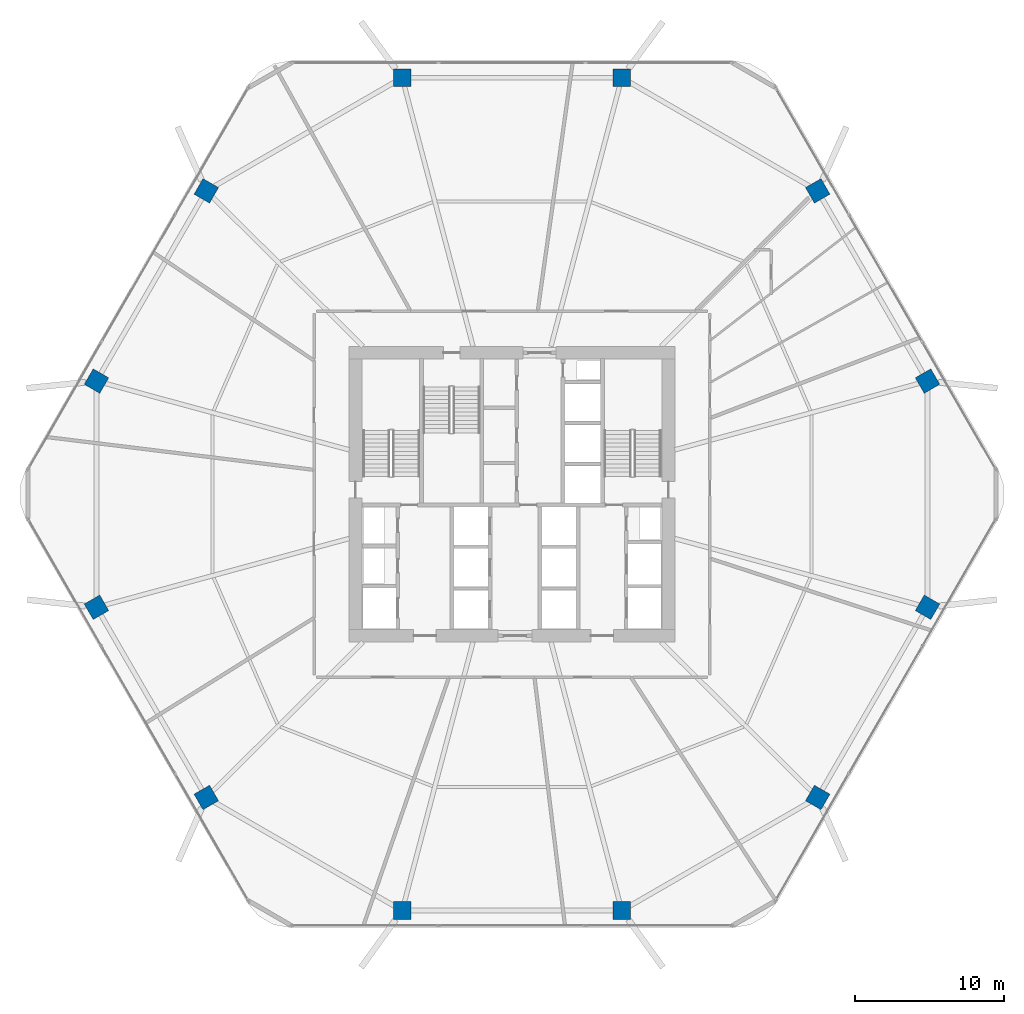
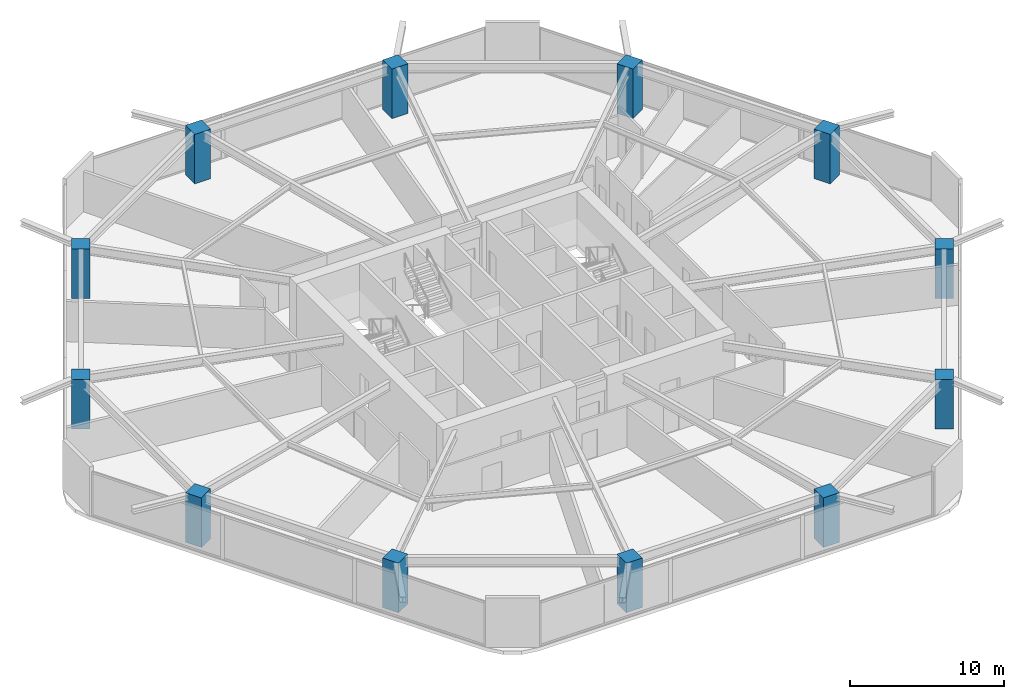
# One storey, part 1 of 25: 12 columns.
"""IFC4 building model written with IfcOpenShell, lengths in metres."""

from ifc_helpers import new_model, si_unit, direction, frame, origin, origin_2d, place, context, subcontext, project, spatial, rectangle, extrude, material, material_profile, profile_set, type_object, element, save


model = new_model("IFC4")

# Units and contexts
model_context = context("Model", 3, precision=1e-05, world=origin(), true_north=direction((0.0, 1.0)))
body_context = subcontext(model_context, "Body", "Model", "MODEL_VIEW")
ifc_project = project(units=[si_unit("LENGTHUNIT", "METRE"), si_unit("AREAUNIT", "SQUARE_METRE"), si_unit("VOLUMEUNIT", "CUBIC_METRE"), si_unit("PLANEANGLEUNIT", "RADIAN"), si_unit("MASSUNIT", "GRAM", prefix="KILO")], contexts=[model_context])

# Site, building, storey
site_placement = place(None, origin())
site = spatial("IfcSite", under=ifc_project, at=site_placement, CompositionType="ELEMENT")
building_placement = place(site_placement, origin())
building = spatial("IfcBuilding", under=site, at=building_placement, Name="Zuhravey Tower", CompositionType="ELEMENT")
storey_placement = place(building_placement, frame((0.0, 0.0, 20.39990234375)))
storey = spatial("IfcBuildingStorey", under=building, at=storey_placement, Name="L05", CompositionType="ELEMENT", Elevation=20.39990234375)

# Columns
ifc_material = material(Name="Concrete C60/75", Category="concrete")
ifc_material_profile = material_profile(ifc_material, rectangle(XDim=1.199951171875, YDim=1.199951171875, at=origin_2d()), Name="RC-1200x1200")
ifc_profile_set = profile_set([ifc_material_profile], Name="Concrete C60/75")
column_type = type_object("IfcColumnType", Name="Zone 1 Perimeter Column 1200x1200", PredefinedType="COLUMN", material=ifc_profile_set)
for number, where, z_axis, x_axis, name in (
    (1, (63.88916015625, 39.591552734375, 0.0), (0.0, 0.0, 1.0), (-0.5, 0.866025403784, 0.0), "L05 Perimeter Column PC01"),
    (2, (56.51904296875, 52.35693359375, 0.0), (0.0, 0.0, 1.0), (-0.5, 0.866025403784, 0.0), "L05 Perimeter Column PC02"),
    (3, (43.3701171875, 59.948486328125, 0.0), (0.0, 0.0, 1.0), (-1.0, 0.0, 0.0), "L05 Perimeter Column PC03"),
    (4, (28.6298828125, 59.948486328125, 0.0), (0.0, 0.0, 1.0), (-1.0, 0.0, 0.0), "L05 Perimeter Column PC04"),
    (5, (15.48095703125, 52.35693359375, 0.0), (0.0, 0.0, 1.0), (-0.5, -0.866025403784, 0.0), "L05 Perimeter Column PC05"),
    (6, (8.11083984375, 39.591552734375, 0.0), (0.0, 0.0, 1.0), (-0.5, -0.866025403784, 0.0), "L05 Perimeter Column PC06"),
    (7, (8.11083984375, 24.408447265625, 0.0), (0.0, 0.0, 1.0), (0.5, -0.866025403784, 0.0), "L05 Perimeter Column PC07"),
    (8, (15.48095703125, 11.64306640625, 0.0), (0.0, 0.0, 1.0), (0.5, -0.866025403784, 0.0), "L05 Perimeter Column PC08"),
    (9, (28.6298828125, 4.051513671875, 0.0), (0.0, 0.0, 1.0), (1.0, 0.0, 0.0), "L05 Perimeter Column PC09"),
    (10, (43.3701171875, 4.051513671875, 0.0), (0.0, 0.0, 1.0), (1.0, 0.0, 0.0), "L05 Perimeter Column PC10"),
    (11, (56.51904296875, 11.64306640625, 0.0), (0.0, 0.0, 1.0), (0.5, 0.866025403784, 0.0), "L05 Perimeter Column PC11"),
    (12, (63.88916015625, 24.408447265625, 0.0), (0.0, 0.0, 1.0), (0.5, 0.866025403784, 0.0), "L05 Perimeter Column PC12"),
):
    element("IfcColumn", number, at=place(storey_placement, frame(where, z_axis=z_axis, x_axis=x_axis)), inside=storey, type_object=column_type, Name=name, PredefinedType="COLUMN", context=body_context, shape_type="SweptSolid", body=[
        extrude(rectangle(XDim=1.199951171875, YDim=1.199951171875, at=origin_2d()), origin(), (0.0, 0.0, 1.0), 3.920166015625),
    ])

save(model, "model.ifc")
